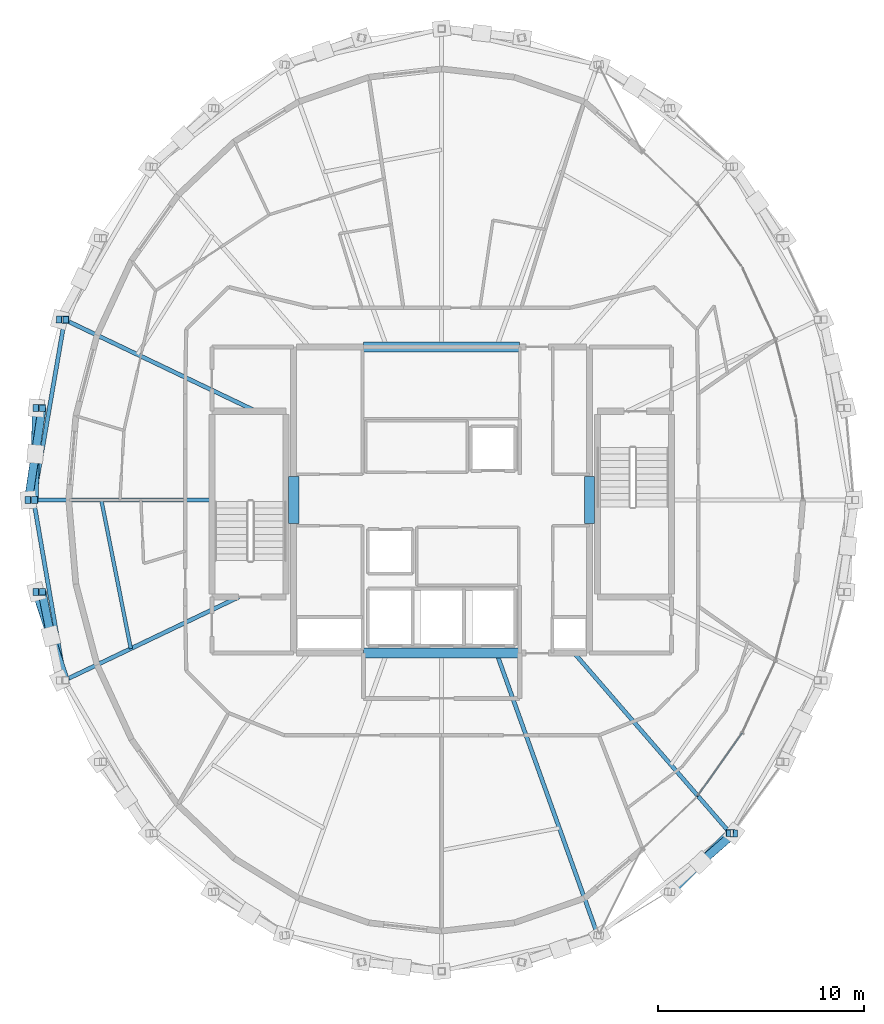
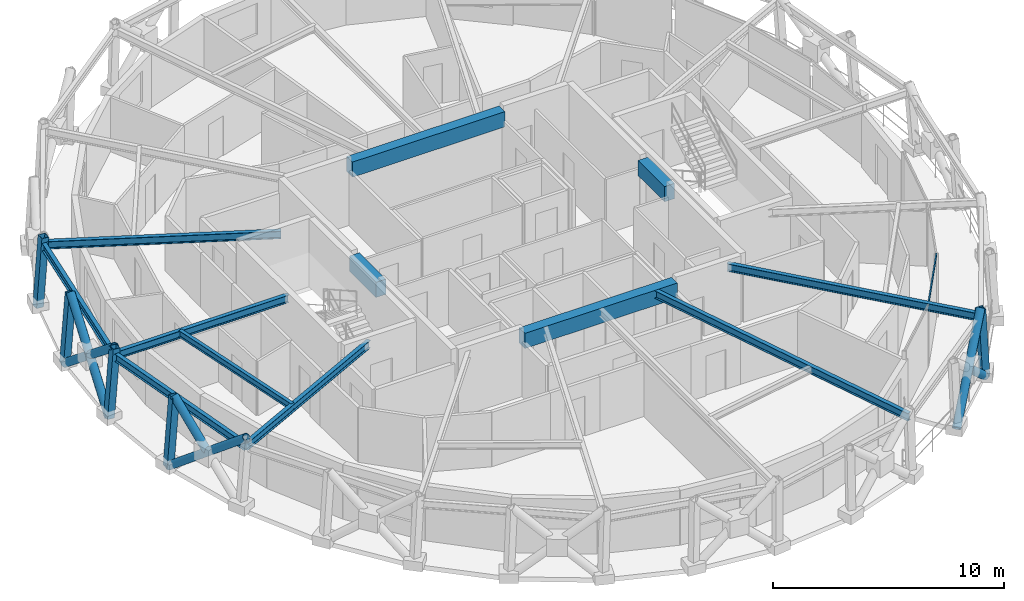
# One storey, part 3 of 17: 13 members, 12 beams, 1 element without a shape of its own.
"""IFC4 building model written with IfcOpenShell, lengths in metres."""

from ifc_helpers import new_model, si_unit, direction, frame, origin, origin_2d, place, context, subcontext, project, spatial, rectangle, hollow_rectangle, hollow_circle, i_section, extrude, material, layer, layer_set, material_profile, profile_set, type_object, element, aggregate, save


model = new_model("IFC4")

# Units and contexts
model_context = context("Model", 3, precision=1e-05, world=origin(), true_north=direction((0.0, 1.0)))
body_context = subcontext(model_context, "Body", "Model", "MODEL_VIEW")
ifc_project = project(units=[si_unit("LENGTHUNIT", "METRE"), si_unit("AREAUNIT", "SQUARE_METRE"), si_unit("VOLUMEUNIT", "CUBIC_METRE"), si_unit("PLANEANGLEUNIT", "RADIAN"), si_unit("MASSUNIT", "GRAM", prefix="KILO")], contexts=[model_context])

# Site, building, storey
site_placement = place(None, origin())
site = spatial("IfcSite", under=ifc_project, at=site_placement, CompositionType="ELEMENT")
building_placement = place(site_placement, origin())
building = spatial("IfcBuilding", under=site, at=building_placement, Name="Veldorina Hangang Commons", CompositionType="ELEMENT")
storey_placement = place(building_placement, frame((0.0, 0.0, 286.800048828125)))
storey = spatial("IfcBuildingStorey", under=building, at=storey_placement, Name="L75", CompositionType="ELEMENT", Elevation=286.800048828125)

# Beams
ifc_material_1 = material(Name="Concrete C50/60", Category="concrete")
ifc_material_profile_1 = material_profile(ifc_material_1, rectangle(XDim=0.5, YDim=0.800048828125, at=origin_2d()), Name="RC-CB-500x800")
ifc_profile_set_1 = profile_set([ifc_material_profile_1], Name="Concrete C50/60")
beam_type_1 = type_object("IfcBeamType", Name="BM-CB800", PredefinedType="LINTEL", material=ifc_profile_set_1)
for number, where, z_axis, x_axis, name in (
    (1, (24.800048828125, 22.85009765625, 2.9599609375), (0.0, 1.0, 0.0), (-1.0, 0.0, 0.0), "L75 W core coupling lintel beam"),
    (2, (39.199951171875, 22.85009765625, 2.9599609375), (0.0, 1.0, 0.0), (-1.0, 0.0, 0.0), "L75 E core coupling lintel beam"),
):
    element("IfcBeam", number, at=place(storey_placement, frame(where, z_axis=z_axis, x_axis=x_axis)), inside=storey, type_object=beam_type_1, Name=name, PredefinedType="LINTEL", context=body_context, shape_type="SweptSolid", body=[
        extrude(rectangle(XDim=0.5, YDim=0.800048828125, at=origin_2d()), origin(), (0.0, 0.0, 1.0), 2.2998046875),
    ])
for number, where, z_axis, x_axis, name in (
    (3, (28.199951171875, 16.550048828125, 2.9599609375), (1.0, 0.0, 0.0), (0.0, 1.0, 0.0), "L75 south core coupling beam"),
    (4, (28.199951171875, 31.449951171875, 2.9599609375), (1.0, 0.0, 0.0), (0.0, 1.0, 0.0), "L75 north core coupling beam"),
):
    element("IfcBeam", number, at=place(storey_placement, frame(where, z_axis=z_axis, x_axis=x_axis)), inside=storey, type_object=beam_type_1, Name=name, PredefinedType="LINTEL", context=body_context, shape_type="SweptSolid", body=[
        extrude(rectangle(XDim=0.5, YDim=0.800048828125, at=origin_2d()), origin(), (0.0, 0.0, 1.0), 7.60009765625),
    ])
ifc_material_2 = material(Name="Steel SM355-TMC", Category="steel")
ifc_material_profile_2 = material_profile(ifc_material_2, i_section(OverallWidth=0.199951171875, OverallDepth=0.39990234375, WebThickness=0.008056640625, FlangeThickness=0.012939453125, FilletRadius=0.012939453125, at=origin_2d()), Name="H-400x200x8x13")
ifc_profile_set_2 = profile_set([ifc_material_profile_2], Name="Steel SM355-TMC")
beam_type_2 = type_object("IfcBeamType", Name="BM-FG400", PredefinedType="BEAM", material=ifc_profile_set_2)
beam_1_placement = place(storey_placement, frame((22.967041015625, 28.320068359375, 3.159912109375), z_axis=(-0.90214222726, 0.431438757872, 0.0), x_axis=(-0.431438757872, -0.90214222726, 0.0)))
element("IfcBeam", 5, at=beam_1_placement, inside=storey, type_object=beam_type_2, Name="L75 radial floor girder 08", PredefinedType="BEAM", context=body_context, shape_type="SweptSolid", body=[
    extrude(i_section(OverallWidth=0.199951171875, OverallDepth=0.39990234375, WebThickness=0.008056640625, FlangeThickness=0.012939453125, FilletRadius=0.012939453125, at=origin_2d()), origin(), (0.0, 0.0, 1.0), 10.321533203125),
])
beam_2_placement = place(storey_placement, frame((20.820068359375, 24.0, 3.159912109375), z_axis=(-1.0, 0.0, 0.0), x_axis=(0.0, -1.0, 0.0)))
element("IfcBeam", 6, at=beam_2_placement, inside=storey, type_object=beam_type_2, Name="L75 radial floor girder 09", PredefinedType="BEAM", context=body_context, shape_type="SweptSolid", body=[
    extrude(i_section(OverallWidth=0.199951171875, OverallDepth=0.39990234375, WebThickness=0.008056640625, FlangeThickness=0.012939453125, FilletRadius=0.012939453125, at=origin_2d()), origin(), (0.0, 0.0, 1.0), 8.67626953125),
])
beam_3_placement = place(storey_placement, frame((22.130615234375, 19.280029296875, 3.159912109375), z_axis=(-0.902137739943, -0.431448140766, 0.0), x_axis=(0.431448140766, -0.902137739943, 0.0)))
element("IfcBeam", 7, at=beam_3_placement, inside=storey, type_object=beam_type_2, Name="L75 radial floor girder 10", PredefinedType="BEAM", context=body_context, shape_type="SweptSolid", body=[
    extrude(i_section(OverallWidth=0.199951171875, OverallDepth=0.39990234375, WebThickness=0.008056640625, FlangeThickness=0.012939453125, FilletRadius=0.012939453125, at=origin_2d()), origin(), (0.0, 0.0, 1.0), 9.39453125),
])
beam_4_placement = place(storey_placement, frame((34.672607421875, 16.550048828125, 3.159912109375), z_axis=(0.337685698743, -0.941258927641, 0.0), x_axis=(0.941258927641, 0.337685698743, 0.0)))
element("IfcBeam", 8, at=beam_4_placement, inside=storey, type_object=beam_type_2, Name="L75 radial floor girder 14", PredefinedType="BEAM", context=body_context, shape_type="SweptSolid", body=[
    extrude(i_section(OverallWidth=0.199951171875, OverallDepth=0.39990234375, WebThickness=0.008056640625, FlangeThickness=0.012939453125, FilletRadius=0.012939453125, at=origin_2d()), origin(), (0.0, 0.0, 1.0), 14.587646484375),
])
beam_5_placement = place(storey_placement, frame((38.452392578125, 16.550048828125, 3.159912109375), z_axis=(0.654685909514, -0.75590102519, 0.0), x_axis=(0.75590102519, 0.654685909514, 0.0)))
element("IfcBeam", 9, at=beam_5_placement, inside=storey, type_object=beam_type_2, Name="L75 radial floor girder 15", PredefinedType="BEAM", context=body_context, shape_type="SweptSolid", body=[
    extrude(i_section(OverallWidth=0.199951171875, OverallDepth=0.39990234375, WebThickness=0.008056640625, FlangeThickness=0.012939453125, FilletRadius=0.012939453125, at=origin_2d()), origin(), (0.0, 0.0, 1.0), 11.590087890625),
])
ifc_material_profile_3 = material_profile(ifc_material_2, i_section(OverallWidth=0.175048828125, OverallDepth=0.35009765625, WebThickness=0.007080078125, FlangeThickness=0.010986328125, FilletRadius=0.012939453125, at=origin_2d()), Name="H-350x175x7x11")
ifc_profile_set_3 = profile_set([ifc_material_profile_3], Name="Steel SM355-TMC")
beam_type_3 = type_object("IfcBeamType", Name="BM-JST350", PredefinedType="JOIST", material=ifc_profile_set_3)
beam_6_placement = place(storey_placement, frame((15.44091796875, 24.0, 3.18505859375), z_axis=(0.194613276652, -0.980880050032, 0.0), x_axis=(0.980880050032, 0.194613276652, 0.0)))
element("IfcBeam", 10, at=beam_6_placement, inside=storey, type_object=beam_type_3, Name="L75 secondary floor joist 09", PredefinedType="JOIST", context=body_context, shape_type="SweptSolid", body=[
    extrude(i_section(OverallWidth=0.175048828125, OverallDepth=0.35009765625, WebThickness=0.007080078125, FlangeThickness=0.010986328125, FilletRadius=0.012939453125, at=origin_2d()), origin(), (0.0, 0.0, 1.0), 7.373779296875),
])
ifc_material_profile_4 = material_profile(ifc_material_2, i_section(OverallWidth=0.199951171875, OverallDepth=0.39990234375, WebThickness=0.008056640625, FlangeThickness=0.012939453125, FilletRadius=0.012939453125, at=origin_2d()), Name="H-400x200x8x13")
ifc_profile_set_4 = profile_set([ifc_material_profile_4], Name="Steel SM355-TMC")
beam_type_4 = type_object("IfcBeamType", Name="BM-RB400", PredefinedType="BEAM", material=ifc_profile_set_4)
for number, where, z_axis, x_axis, name in (
    (11, (13.655517578125, 32.773193359375, 3.159912109375), (-0.169808652045, -0.985477052848, 0.0), (0.985477052848, -0.169808652045, 0.0), "L75 perimeter hoop ring beam 14"),
    (12, (12.143798828125, 24.0, 3.159912109375), (0.169808652045, -0.985477052848, 0.0), (0.985477052848, 0.169808652045, 0.0), "L75 perimeter hoop ring beam 16"),
):
    element("IfcBeam", number, at=place(storey_placement, frame(where, z_axis=z_axis, x_axis=x_axis)), inside=storey, type_object=beam_type_4, Name=name, PredefinedType="BEAM", context=body_context, shape_type="SweptSolid", body=[
        extrude(i_section(OverallWidth=0.199951171875, OverallDepth=0.39990234375, WebThickness=0.008056640625, FlangeThickness=0.012939453125, FilletRadius=0.012939453125, at=origin_2d()), origin(), (0.0, 0.0, 1.0), 8.902587890625),
    ])

# Curtain wall, member
ifc_material_3 = material(Name="Glass Low-E Selective", Category="glass")
ifc_layer = layer(ifc_material_3, 0.179931640625)
ifc_layer_set = layer_set([ifc_layer], Name="Glass Low-E Selective")
curtain_wall_type = type_object("IfcCurtainWallType", Name="CW-SYS-Z3", PredefinedType="NOTDEFINED", material=ifc_layer_set)
curtain_wall_placement = place(storey_placement, origin())
curtain_wall = element("IfcCurtainWall", 13, at=curtain_wall_placement, inside=storey, type_object=curtain_wall_type, Name="L75 unitised curtain wall CW-L75-R2", PredefinedType="NOTDEFINED")
ifc_material_4 = material(Name="Aluminium Anodized AA6063-T6", Category="aluminium")
ifc_material_profile_5 = material_profile(ifc_material_4, hollow_rectangle(XDim=0.06005859375, YDim=0.139892578125, WallThickness=0.00341796875, at=origin_2d()), Name="ALU-RHS-140x60x3.5")
ifc_profile_set_5 = profile_set([ifc_material_profile_5], Name="Aluminium Anodized AA6063-T6")
member_type_1 = type_object("IfcMemberType", Name="CW-TRN-140", PredefinedType="USERDEFINED", material=ifc_profile_set_5)
member_1_placement = place(storey_placement, frame((44.43505859375, 9.5634765625, 3.280029296875), z_axis=(0.57724470762, 0.816571213995, 0.0), x_axis=(-0.816571213995, 0.57724470762, 0.0)))
member_1 = element("IfcMember", 14, at=member_1_placement, type_object=member_type_1, Name="CW-L75-R2 facet 2 transom 1", ObjectType="TRANSOM", PredefinedType="USERDEFINED", context=body_context, shape_type="SweptSolid", body=[
    extrude(hollow_rectangle(XDim=0.06005859375, YDim=0.139892578125, WallThickness=0.00341796875, at=origin_2d()), origin(), (0.0, 0.0, 1.0), 3.788818359375),
])
aggregate(curtain_wall, [member_1])

# Members
ifc_material_profile_6 = material_profile(ifc_material_2, hollow_circle(Radius=0.199951171875, WallThickness=0.02001953125, at=origin_2d()), Name="CHS-400x20")
ifc_profile_set_6 = profile_set([ifc_material_profile_6], Name="Steel SM355-TMC")
member_type_2 = type_object("IfcMemberType", Name="DG-CHS400", PredefinedType="BRACE", material=ifc_profile_set_6)
member_2_placement = place(storey_placement, frame((12.280517578125, 28.474609375, 0.0), z_axis=(-0.017724560604, -0.779030567758, 0.626735362374), x_axis=(0.999741272024, -0.022746186733, 0.0)))
element("IfcMember", 15, at=member_2_placement, inside=storey, type_object=member_type_2, Name="L75 continuous perimeter diagrid brace 15", PredefinedType="BRACE", context=body_context, shape_type="SweptSolid", body=[
    extrude(hollow_circle(Radius=0.199951171875, WallThickness=0.02001953125, at=origin_2d()), origin(), (0.0, 0.0, 1.0), 5.743896484375),
])
member_3_placement = place(storey_placement, frame((11.89404296875, 24.0, 0.0), z_axis=(0.116040335199, 0.77368668905, 0.62285114417), x_axis=(-0.98893872819, 0.148324616585, 0.0)))
element("IfcMember", 16, at=member_3_placement, inside=storey, type_object=member_type_2, Name="L75 split perimeter diagrid lower brace 16", PredefinedType="BRACE", context=body_context, shape_type="SweptSolid", body=[
    extrude(hollow_circle(Radius=0.199951171875, WallThickness=0.02001953125, at=origin_2d()), origin(), (0.0, 0.0, 1.0), 2.890869140625),
])
member_4_placement = place(storey_placement, frame((12.2294921875, 26.236572265625, 1.800537109375), z_axis=(0.114259237088, 0.773954210982, 0.622848060159), x_axis=(-0.989277574273, 0.146047530074, 0.0)))
element("IfcMember", 17, at=member_4_placement, inside=storey, type_object=member_type_2, Name="L75 split perimeter diagrid upper brace 16", PredefinedType="BRACE", context=body_context, shape_type="SweptSolid", body=[
    extrude(hollow_circle(Radius=0.199951171875, WallThickness=0.02001953125, at=origin_2d()), origin(), (0.0, 0.0, 1.0), 2.888916015625),
])
member_5_placement = place(storey_placement, frame((12.280517578125, 19.525390625, 0.0), z_axis=(0.243408825266, -0.743573202985, 0.622776874639), x_axis=(0.950375365773, 0.311105551431, 0.0)))
element("IfcMember", 18, at=member_5_placement, inside=storey, type_object=member_type_2, Name="L75 continuous perimeter diagrid brace 17", PredefinedType="BRACE", context=body_context, shape_type="SweptSolid", body=[
    extrude(hollow_circle(Radius=0.199951171875, WallThickness=0.02001953125, at=origin_2d()), origin(), (0.0, 0.0, 1.0), 5.7802734375),
])
member_6_placement = place(storey_placement, frame((12.984619140625, 17.374755859375, 1.80126953125), z_axis=(-0.149807639543, 0.758761496547, 0.633907455779), x_axis=(-0.981061233752, -0.193697846219, 0.0)))
element("IfcMember", 19, at=member_6_placement, inside=storey, type_object=member_type_2, Name="L75 split perimeter diagrid upper brace 18", PredefinedType="BRACE", context=body_context, shape_type="SweptSolid", body=[
    extrude(hollow_circle(Radius=0.199951171875, WallThickness=0.02001953125, at=origin_2d()), origin(), (0.0, 0.0, 1.0), 2.83740234375),
])
member_7_placement = place(storey_placement, frame((43.170166015625, 4.92919921875, 0.0), z_axis=(0.526248276566, 0.529047469526, 0.66571129358), x_axis=(-0.708979901853, 0.705228685441, 0.0)))
element("IfcMember", 20, at=member_7_placement, inside=storey, type_object=member_type_2, Name="L75 continuous perimeter diagrid brace 27", PredefinedType="BRACE", context=body_context, shape_type="SweptSolid", body=[
    extrude(hollow_circle(Radius=0.199951171875, WallThickness=0.02001953125, at=origin_2d()), origin(), (0.0, 0.0, 1.0), 5.407470703125),
])
member_8_placement = place(storey_placement, frame((46.217041015625, 7.781494140625, 0.0), z_axis=(-0.576231404716, -0.504180750944, 0.643241120107), x_axis=(0.65848853509, -0.752590758085, 0.0)))
element("IfcMember", 21, at=member_8_placement, inside=storey, type_object=member_type_2, Name="L75 split perimeter diagrid lower brace 28", PredefinedType="BRACE", context=body_context, shape_type="SweptSolid", body=[
    extrude(hollow_circle(Radius=0.199951171875, WallThickness=0.02001953125, at=origin_2d()), origin(), (0.0, 0.0, 1.0), 2.80908203125),
])
ifc_material_profile_7 = material_profile(ifc_material_2, hollow_rectangle(XDim=0.35009765625, YDim=0.35009765625, WallThickness=0.01611328125, at=origin_2d()), Name="SHS-350x350x16")
ifc_profile_set_7 = profile_set([ifc_material_profile_7], Name="Steel SM355-TMC")
member_type_3 = type_object("IfcMemberType", Name="STR-SHS350", PredefinedType="STRUT", material=ifc_profile_set_7)
member_9_placement = place(storey_placement, frame((13.424560546875, 32.77734375, 0.0), z_axis=(0.07284758298, -0.001285147703, 0.997342257226), x_axis=(0.017638852408, 0.999844423341, 0.0)))
element("IfcMember", 22, at=member_9_placement, inside=storey, type_object=member_type_3, Name="L75 perimeter ring node post 14", PredefinedType="STRUT", context=body_context, shape_type="SweptSolid", body=[
    extrude(hollow_rectangle(XDim=0.35009765625, YDim=0.35009765625, WallThickness=0.01611328125, at=origin_2d()), origin(), (0.0, 0.0, 1.0), 3.609375),
])
member_10_placement = place(storey_placement, frame((12.280517578125, 28.474609375, 0.0), z_axis=(0.077285930126, -0.000608550631, 0.997008783648), x_axis=(0.007873771664, 0.999969001379, 0.0)))
element("IfcMember", 23, at=member_10_placement, inside=storey, type_object=member_type_3, Name="L75 perimeter ring node post 15", PredefinedType="STRUT", context=body_context, shape_type="SweptSolid", body=[
    extrude(hollow_rectangle(XDim=0.35009765625, YDim=0.35009765625, WallThickness=0.01611328125, at=origin_2d()), origin(), (0.0, 0.0, 1.0), 3.610595703125),
])
member_11_placement = place(storey_placement, frame((11.89404296875, 24.0, 0.0), z_axis=(0.078831559843, 0.0, 0.996887950159), x_axis=(0.0, 1.0, 0.0)))
element("IfcMember", 24, at=member_11_placement, inside=storey, type_object=member_type_3, Name="L75 perimeter ring node post 16", PredefinedType="STRUT", context=body_context, shape_type="SweptSolid", body=[
    extrude(hollow_rectangle(XDim=0.35009765625, YDim=0.35009765625, WallThickness=0.01611328125, at=origin_2d()), origin(), (0.0, 0.0, 1.0), 3.611083984375),
])
member_12_placement = place(storey_placement, frame((12.280517578125, 19.525390625, 0.0), z_axis=(0.077285930126, 0.000608550631, 0.997008783648), x_axis=(-0.007873771664, 0.999969001379, 0.0)))
element("IfcMember", 25, at=member_12_placement, inside=storey, type_object=member_type_3, Name="L75 perimeter ring node post 17", PredefinedType="STRUT", context=body_context, shape_type="SweptSolid", body=[
    extrude(hollow_rectangle(XDim=0.35009765625, YDim=0.35009765625, WallThickness=0.01611328125, at=origin_2d()), origin(), (0.0, 0.0, 1.0), 3.610595703125),
])
member_13_placement = place(storey_placement, frame((46.217041015625, 7.781494140625, 0.0), z_axis=(-0.055796137019, 0.002369981548, 0.998439369357), x_axis=(-0.042437462837, -0.999099125086, 0.0)))
element("IfcMember", 26, at=member_13_placement, inside=storey, type_object=member_type_3, Name="L75 perimeter ring node post 28", PredefinedType="STRUT", context=body_context, shape_type="SweptSolid", body=[
    extrude(hollow_rectangle(XDim=0.35009765625, YDim=0.35009765625, WallThickness=0.01611328125, at=origin_2d()), origin(), (0.0, 0.0, 1.0), 3.60546875),
])

save(model, "model.ifc")
